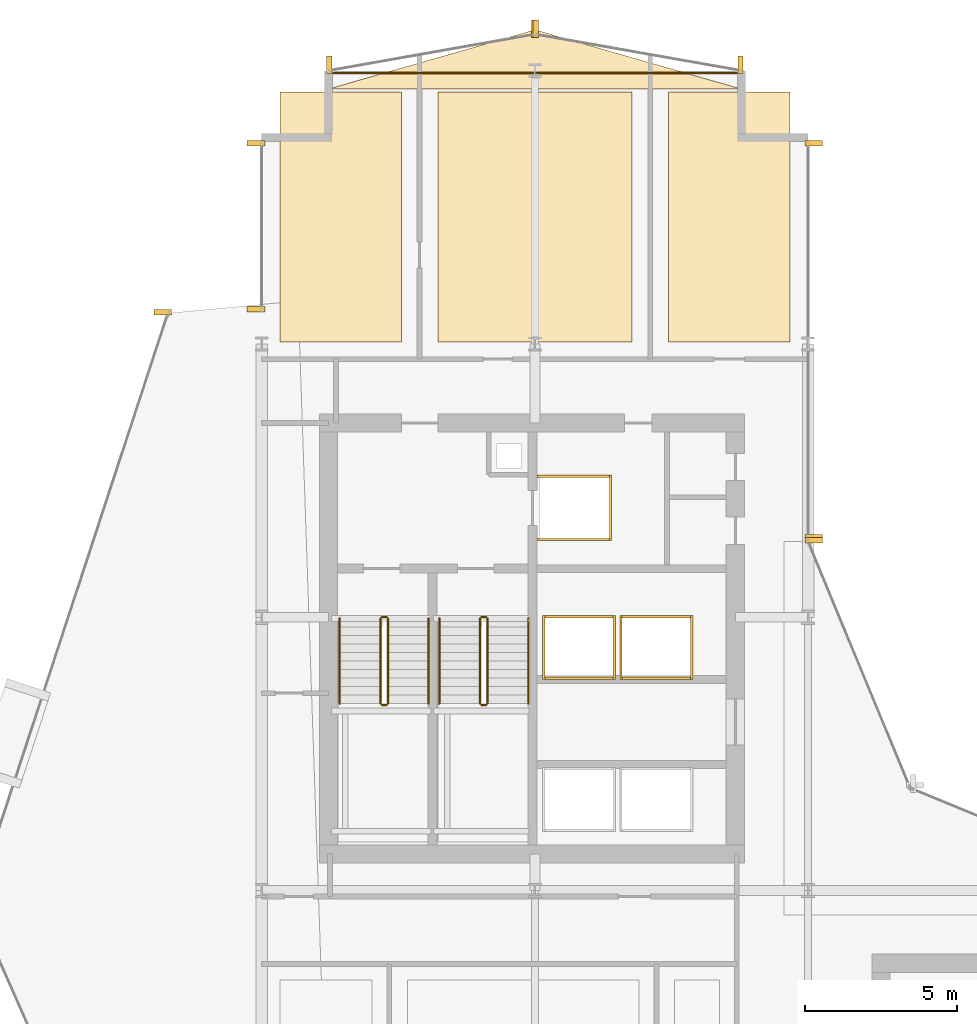
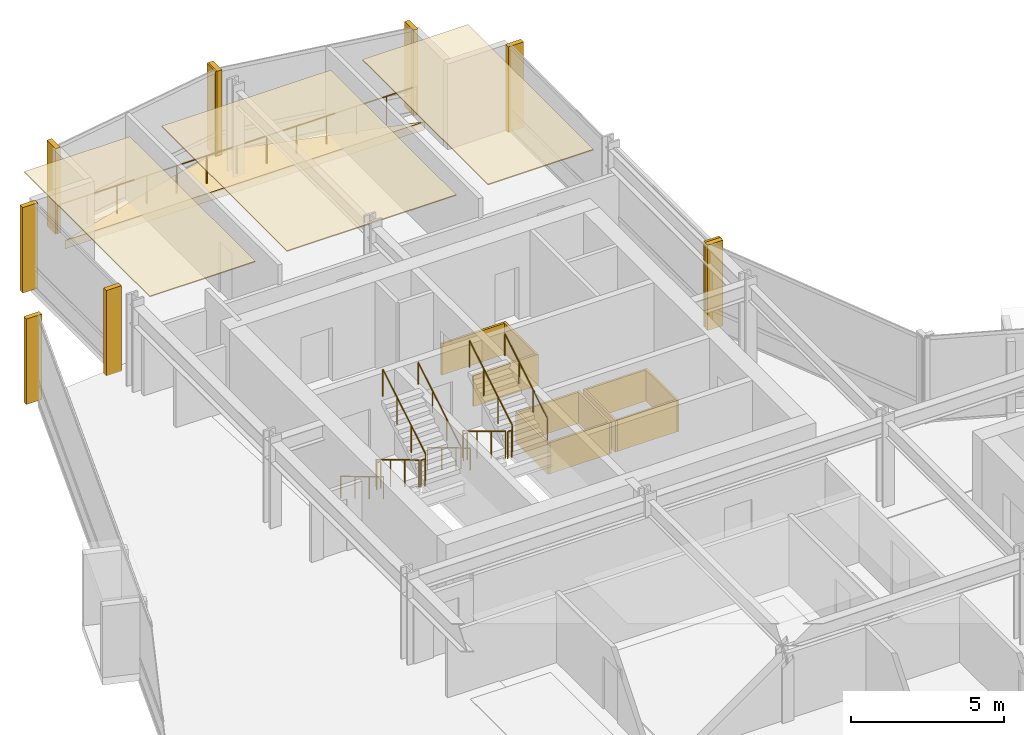
# One storey, part 33 of 34: 25 coverings, 13 railings.
"""IFC4 building model written with IfcOpenShell, lengths in metres."""

from ifc_helpers import new_model, si_unit, direction, frame, origin, origin_2d, place, context, subcontext, project, spatial, polyline, rectangle, circle, outline, extrude, material, layer, layer_set, type_object, element, save


model = new_model("IFC4")

# Units and contexts
model_context = context("Model", 3, precision=1e-05, world=origin(), true_north=direction((0.0, 1.0)))
body_context = subcontext(model_context, "Body", "Model", "MODEL_VIEW")
ifc_project = project(units=[si_unit("LENGTHUNIT", "METRE"), si_unit("AREAUNIT", "SQUARE_METRE"), si_unit("VOLUMEUNIT", "CUBIC_METRE"), si_unit("PLANEANGLEUNIT", "RADIAN"), si_unit("MASSUNIT", "GRAM", prefix="KILO")], contexts=[model_context])

# Site, building, storey
site_placement = place(None, origin())
site = spatial("IfcSite", under=ifc_project, at=site_placement, CompositionType="ELEMENT")
building_placement = place(site_placement, origin())
building = spatial("IfcBuilding", under=site, at=building_placement, Name="Solvaryn Broadcast Tower", CompositionType="ELEMENT")
storey_placement = place(building_placement, frame((0.0, 0.0, 76.699951171875)))
storey = spatial("IfcBuildingStorey", under=building, at=storey_placement, Name="L18", CompositionType="ELEMENT", Elevation=76.699951171875)

# Coverings
ifc_material_1 = material(Name="Micro-Perforated Acoustic Gypsum Ceiling", Category="concrete")
ifc_layer_1 = layer(ifc_material_1, 0.0400390625)
ifc_layer_set_1 = layer_set([ifc_layer_1], Name="CV-CEIL-ACOUSTIC")
covering_type_1 = type_object("IfcCoveringType", Name="CV-CEIL-ACOUSTIC", PredefinedType="CEILING", material=ifc_layer_set_1)
covering_1_placement = place(storey_placement, frame((0.0, 0.0, 3.380126953125)))
element("IfcCovering", 1, at=covering_1_placement, inside=storey, type_object=covering_type_1, Name="L18 Room Acoustic Ceiling 7", PredefinedType="CEILING", context=body_context, shape_type="SweptSolid", body=[
    extrude(outline(polyline([(9.60009765625, 45.070068359375), (13.60009765625, 45.070068359375), (13.60009765625, 53.300048828125), (9.60009765625, 53.300048828125), (9.60009765625, 45.070068359375)])), origin(), (0.0, 0.0, 1.0), 0.0400390625),
])
covering_2_placement = place(storey_placement, frame((0.0, 0.0, 3.380126953125)))
element("IfcCovering", 2, at=covering_2_placement, inside=storey, type_object=covering_type_1, Name="L18 Room Acoustic Ceiling 8", PredefinedType="CEILING", context=body_context, shape_type="SweptSolid", body=[
    extrude(outline(polyline([(14.800048828125, 45.070068359375), (21.199951171875, 45.070068359375), (21.199951171875, 53.300048828125), (14.800048828125, 53.300048828125), (14.800048828125, 45.070068359375)])), origin(), (0.0, 0.0, 1.0), 0.0400390625),
])
covering_3_placement = place(storey_placement, frame((0.0, 0.0, 3.380126953125)))
element("IfcCovering", 3, at=covering_3_placement, inside=storey, type_object=covering_type_1, Name="L18 Room Acoustic Ceiling 9", PredefinedType="CEILING", context=body_context, shape_type="SweptSolid", body=[
    extrude(outline(polyline([(22.39990234375, 45.070068359375), (26.39990234375, 45.070068359375), (26.39990234375, 53.300048828125), (22.39990234375, 53.300048828125), (22.39990234375, 45.070068359375)])), origin(), (0.0, 0.0, 1.0), 0.0400390625),
])
ifc_material_2 = material(Name="Fire-Rated Gypsum Shaftwall Liner", Category="concrete")
ifc_layer_2 = layer(ifc_material_2, 0.080078125)
ifc_layer_set_2 = layer_set([ifc_layer_2], Name="CV-SHAFT-LINER")
covering_type_2 = type_object("IfcCoveringType", Name="CV-SHAFT-LINER", PredefinedType="CLADDING", material=ifc_layer_set_2)
for number, where, z_axis, x_axis, name in (
    (4, (19.300048828125, 40.639892578125, 0.0), (0.0, 0.0, 1.0), (1.0, 0.0, 0.0), "L18 FL1 Hoistway Shaft Liner North"),
    (5, (19.300048828125, 38.56005859375, 0.0), (0.0, 0.0, 1.0), (1.0, 0.0, 0.0), "L18 FL1 Hoistway Shaft Liner South"),
):
    element("IfcCovering", number, at=place(storey_placement, frame(where, z_axis=z_axis, x_axis=x_axis)), inside=storey, type_object=covering_type_2, Name=name, PredefinedType="CLADDING", context=body_context, shape_type="SweptSolid", body=[
        extrude(rectangle(XDim=2.4599609375, YDim=0.080078125, at=origin_2d()), origin(), (0.0, 0.0, 1.0), 1.25),
    ])
covering_4_placement = place(storey_placement, frame((20.489990234375, 39.60009765625, 0.0), z_axis=(0.0, 0.0, 1.0), x_axis=(1.0, 0.0, 0.0)))
element("IfcCovering", 6, at=covering_4_placement, inside=storey, type_object=covering_type_2, Name="L18 FL1 Hoistway Shaft Liner East", PredefinedType="CLADDING", context=body_context, shape_type="SweptSolid", body=[
    extrude(rectangle(XDim=0.080078125, YDim=2.159912109375, at=origin_2d()), origin(), (0.0, 0.0, 1.0), 1.25),
])
for number, where, z_axis, x_axis, name in (
    (7, (19.449951171875, 36.014892578125, 0.0), (0.0, 0.0, 1.0), (1.0, 0.0, 0.0), "L18 PH3 Hoistway Shaft Liner North"),
    (8, (19.449951171875, 33.985107421875, 0.0), (0.0, 0.0, 1.0), (1.0, 0.0, 0.0), "L18 PH3 Hoistway Shaft Liner South"),
):
    element("IfcCovering", number, at=place(storey_placement, frame(where, z_axis=z_axis, x_axis=x_axis)), inside=storey, type_object=covering_type_2, Name=name, PredefinedType="CLADDING", context=body_context, shape_type="SweptSolid", body=[
        extrude(rectangle(XDim=2.409912109375, YDim=0.080078125, at=origin_2d()), origin(), (0.0, 0.0, 1.0), 1.25),
    ])
for number, where, z_axis, x_axis, name in (
    (9, (20.614990234375, 35.0, 0.0), (0.0, 0.0, 1.0), (1.0, 0.0, 0.0), "L18 PH3 Hoistway Shaft Liner East"),
    (10, (18.284912109375, 35.0, 0.0), (0.0, 0.0, 1.0), (1.0, 0.0, 0.0), "L18 PH3 Hoistway Shaft Liner West"),
):
    element("IfcCovering", number, at=place(storey_placement, frame(where, z_axis=z_axis, x_axis=x_axis)), inside=storey, type_object=covering_type_2, Name=name, PredefinedType="CLADDING", context=body_context, shape_type="SweptSolid", body=[
        extrude(rectangle(XDim=0.080078125, YDim=2.110107421875, at=origin_2d()), origin(), (0.0, 0.0, 1.0), 1.25),
    ])
for number, where, z_axis, x_axis, name in (
    (11, (22.0, 36.014892578125, 0.0), (0.0, 0.0, 1.0), (1.0, 0.0, 0.0), "L18 PH4 Hoistway Shaft Liner North"),
    (12, (22.0, 33.985107421875, 0.0), (0.0, 0.0, 1.0), (1.0, 0.0, 0.0), "L18 PH4 Hoistway Shaft Liner South"),
):
    element("IfcCovering", number, at=place(storey_placement, frame(where, z_axis=z_axis, x_axis=x_axis)), inside=storey, type_object=covering_type_2, Name=name, PredefinedType="CLADDING", context=body_context, shape_type="SweptSolid", body=[
        extrude(rectangle(XDim=2.409912109375, YDim=0.080078125, at=origin_2d()), origin(), (0.0, 0.0, 1.0), 1.25),
    ])
for number, where, z_axis, x_axis, name in (
    (13, (23.1650390625, 35.0, 0.0), (0.0, 0.0, 1.0), (1.0, 0.0, 0.0), "L18 PH4 Hoistway Shaft Liner East"),
    (14, (20.8349609375, 35.0, 0.0), (0.0, 0.0, 1.0), (1.0, 0.0, 0.0), "L18 PH4 Hoistway Shaft Liner West"),
):
    element("IfcCovering", number, at=place(storey_placement, frame(where, z_axis=z_axis, x_axis=x_axis)), inside=storey, type_object=covering_type_2, Name=name, PredefinedType="CLADDING", context=body_context, shape_type="SweptSolid", body=[
        extrude(rectangle(XDim=0.080078125, YDim=2.110107421875, at=origin_2d()), origin(), (0.0, 0.0, 1.0), 1.25),
    ])
ifc_material_3 = material(Name="Extruded Architectural Terracotta Fin", Category="masonry")
ifc_layer_3 = layer(ifc_material_3, 0.179931640625)
ifc_layer_set_3 = layer_set([ifc_layer_3], Name="CV-TC-FIN")
covering_type_3 = type_object("IfcCoveringType", Name="CV-TC-FIN", PredefinedType="USERDEFINED", material=ifc_layer_set_3)
for number, where, z_axis, x_axis, name in (
    (15, (5.735595703125, 46.043701171875, 0.0), (0.0, 0.0, 1.0), (1.0, 0.0, 0.0), "L18 Terracotta Vertical Fin FIN-L18-DR1-M00"),
    (16, (8.8125, 46.14599609375, 0.0), (0.0, 0.0, 1.0), (1.0, 0.0, 0.0), "L18 Terracotta Vertical Fin FIN-L18-W2-M00"),
    (17, (8.8125, 51.6201171875, 0.0), (0.0, 0.0, 1.0), (1.0, 0.0, 0.0), "L18 Terracotta Vertical Fin FIN-L18-W2-M01"),
    (18, (27.1875, 51.6201171875, 0.0), (0.0, 0.0, 1.0), (1.0, 0.0, 0.0), "L18 Terracotta Vertical Fin FIN-L18-IV-M00"),
    (19, (27.1875, 38.6298828125, 0.0), (0.0, 0.0, 1.0), (1.0, 0.0, 0.0), "L18 Terracotta Vertical Fin FIN-L18-IV-M01"),
    (20, (27.177978515625, 38.541259765625, 0.0), (0.0, 0.0, 1.0), (1.0, 0.0, 0.0), "L18 Terracotta Vertical Fin FIN-L18-CN2-M01"),
):
    element("IfcCovering", number, at=place(storey_placement, frame(where, z_axis=z_axis, x_axis=x_axis)), inside=storey, type_object=covering_type_3, Name=name, ObjectType="FIN", PredefinedType="USERDEFINED", context=body_context, shape_type="SweptSolid", body=[
        extrude(rectangle(XDim=0.580078125, YDim=0.179931640625, at=origin_2d()), origin(), (0.0, 0.0, 1.0), 3.419921875),
    ])
for number, where, z_axis, x_axis, name in (
    (21, (24.7705078125, 54.192626953125, 0.0), (0.0, 0.0, 1.0), (1.0, 0.0, 0.0), "L18 Terracotta Vertical Fin FIN-L18-NT1-M00"),
    (22, (18.029541015625, 55.38232421875, 0.0), (0.0, 0.0, 1.0), (1.0, 0.0, 0.0), "L18 Terracotta Vertical Fin FIN-L18-NT1-M01"),
    (23, (17.970458984375, 55.38232421875, 0.0), (0.0, 0.0, 1.0), (1.0, 0.0, 0.0), "L18 Terracotta Vertical Fin FIN-L18-NT2-M00"),
    (24, (11.2294921875, 54.192626953125, 0.0), (0.0, 0.0, 1.0), (1.0, 0.0, 0.0), "L18 Terracotta Vertical Fin FIN-L18-NT2-M01"),
):
    element("IfcCovering", number, at=place(storey_placement, frame(where, z_axis=z_axis, x_axis=x_axis)), inside=storey, type_object=covering_type_3, Name=name, ObjectType="FIN", PredefinedType="USERDEFINED", context=body_context, shape_type="SweptSolid", body=[
        extrude(rectangle(XDim=0.179931640625, YDim=0.580078125, at=origin_2d()), origin(), (0.0, 0.0, 1.0), 3.419921875),
    ])
ifc_material_4 = material(Name="Sculpted Architectural Terracotta Wave Fascia", Category="masonry")
ifc_layer_4 = layer(ifc_material_4, 0.340087890625)
ifc_layer_set_4 = layer_set([ifc_layer_4], Name="CV-WAVE-TRAY")
covering_type_4 = type_object("IfcCoveringType", Name="CV-WAVE-TRAY", PredefinedType="CLADDING", material=ifc_layer_set_4)
covering_5_placement = place(storey_placement, frame((0.0, 0.0, -0.300048828125)))
element("IfcCovering", 25, at=covering_5_placement, inside=storey, type_object=covering_type_4, Name="L18 North Curved Wing Deck", PredefinedType="CLADDING", context=body_context, shape_type="SweptSolid", body=[
    extrude(outline(polyline([(11.199951171875, 53.39990234375), (24.800048828125, 53.39990234375), (18.0, 55.35009765625), (11.199951171875, 53.39990234375)])), origin(), (0.0, 0.0, 1.0), 0.330078125),
])

# Railings
ifc_material_5 = material(Name="Painted Steel Stair Well Guard", Category="steel")
railing_type_1 = type_object("IfcRailingType", Name="RL-STAIR-GUARD", PredefinedType="BALUSTRADE", material=ifc_material_5)
railing_1_placement = place(storey_placement, frame((12.909912109375, 35.9599609375, 0.168212890625)))
element("IfcRailing", 26, at=railing_1_placement, inside=storey, type_object=railing_type_1, Name="L18 ST1 stair guard 1", PredefinedType="BALUSTRADE", context=body_context, shape_type="SweptSolid", body=[
    extrude(circle(Radius=0.02392578125, at=origin_2d()), frame((0.0, 0.0, 1.076171875), z_axis=(0.0, -0.857242210791, 0.514913383045), x_axis=(1.0, 0.0, 0.0)), (0.0, 0.0, 1.0), 3.266357421875),
    extrude(circle(Radius=0.02099609375, at=origin_2d()), origin(), (0.0, 0.0, 1.0), 1.052001953125),
    extrude(circle(Radius=0.02099609375, at=origin_2d()), frame((0.0, -0.933349609375, 0.560546875)), (0.0, 0.0, 1.0), 1.052001953125),
    extrude(circle(Radius=0.02099609375, at=origin_2d()), frame((0.0, -1.86669921875, 1.121337890625)), (0.0, 0.0, 1.0), 1.052001953125),
    extrude(circle(Radius=0.02099609375, at=origin_2d()), frame((0.0, -2.800048828125, 1.681884765625)), (0.0, 0.0, 1.0), 1.052001953125),
])
railing_2_placement = place(storey_placement, frame((12.9599609375, 33.110107421875, 1.85009765625)))
element("IfcRailing", 27, at=railing_2_placement, inside=storey, type_object=railing_type_1, Name="L18 ST1 stair guard 2", PredefinedType="BALUSTRADE", context=body_context, shape_type="SweptSolid", body=[
    extrude(circle(Radius=0.02392578125, at=origin_2d()), frame((0.0, 0.0, 1.076171875), z_axis=(1.0, 0.0, 0.0), x_axis=(0.0, 1.0, 0.0)), (0.0, 0.0, 1.0), 0.150146484375),
    extrude(circle(Radius=0.02099609375, at=origin_2d()), origin(), (0.0, 0.0, 1.0), 1.052001953125),
    extrude(circle(Radius=0.02099609375, at=origin_2d()), frame((0.150146484375, 0.0, 0.0)), (0.0, 0.0, 1.0), 1.052001953125),
])
railing_3_placement = place(storey_placement, frame((13.159912109375, 33.159912109375, 2.018310546875)))
element("IfcRailing", 28, at=railing_3_placement, inside=storey, type_object=railing_type_1, Name="L18 ST1 stair guard 3", PredefinedType="BALUSTRADE", context=body_context, shape_type="SweptSolid", body=[
    extrude(circle(Radius=0.02392578125, at=origin_2d()), frame((0.0, 0.0, 1.076171875), z_axis=(0.0, 0.857275202839, 0.514858452973), x_axis=(-1.0, 0.0, 0.0)), (0.0, 0.0, 1.0), 3.26611328125),
    extrude(circle(Radius=0.02099609375, at=origin_2d()), origin(), (0.0, 0.0, 1.0), 1.052001953125),
    extrude(circle(Radius=0.02099609375, at=origin_2d()), frame((0.0, 0.933349609375, 0.560546875)), (0.0, 0.0, 1.0), 1.052001953125),
    extrude(circle(Radius=0.02099609375, at=origin_2d()), frame((0.0, 1.86669921875, 1.12109375)), (0.0, 0.0, 1.0), 1.052001953125),
    extrude(circle(Radius=0.02099609375, at=origin_2d()), frame((0.0, 2.800048828125, 1.681640625)), (0.0, 0.0, 1.0), 1.052001953125),
])
railing_4_placement = place(storey_placement, frame((12.9599609375, 36.010009765625, 0.0)))
element("IfcRailing", 29, at=railing_4_placement, inside=storey, type_object=railing_type_1, Name="L18 ST1 stair guard 4", PredefinedType="BALUSTRADE", context=body_context, shape_type="SweptSolid", body=[
    extrude(circle(Radius=0.02392578125, at=origin_2d()), frame((0.0, 0.0, 1.076171875), z_axis=(1.0, 0.0, 0.0), x_axis=(0.0, 1.0, 0.0)), (0.0, 0.0, 1.0), 0.150146484375),
    extrude(circle(Radius=0.02099609375, at=origin_2d()), origin(), (0.0, 0.0, 1.0), 1.052001953125),
    extrude(circle(Radius=0.02099609375, at=origin_2d()), frame((0.150146484375, 0.0, 0.0)), (0.0, 0.0, 1.0), 1.052001953125),
])
railing_5_placement = place(storey_placement, frame((16.18994140625, 35.9599609375, 0.168212890625)))
element("IfcRailing", 30, at=railing_5_placement, inside=storey, type_object=railing_type_1, Name="L18 ST2 stair guard 1", PredefinedType="BALUSTRADE", context=body_context, shape_type="SweptSolid", body=[
    extrude(circle(Radius=0.02392578125, at=origin_2d()), frame((0.0, 0.0, 1.076171875), z_axis=(0.0, -0.857242210791, 0.514913383045), x_axis=(1.0, 0.0, 0.0)), (0.0, 0.0, 1.0), 3.266357421875),
    extrude(circle(Radius=0.02099609375, at=origin_2d()), origin(), (0.0, 0.0, 1.0), 1.052001953125),
    extrude(circle(Radius=0.02099609375, at=origin_2d()), frame((0.0, -0.933349609375, 0.560546875)), (0.0, 0.0, 1.0), 1.052001953125),
    extrude(circle(Radius=0.02099609375, at=origin_2d()), frame((0.0, -1.86669921875, 1.121337890625)), (0.0, 0.0, 1.0), 1.052001953125),
    extrude(circle(Radius=0.02099609375, at=origin_2d()), frame((0.0, -2.800048828125, 1.681884765625)), (0.0, 0.0, 1.0), 1.052001953125),
])
railing_6_placement = place(storey_placement, frame((16.239990234375, 33.110107421875, 1.85009765625)))
element("IfcRailing", 31, at=railing_6_placement, inside=storey, type_object=railing_type_1, Name="L18 ST2 stair guard 2", PredefinedType="BALUSTRADE", context=body_context, shape_type="SweptSolid", body=[
    extrude(circle(Radius=0.02392578125, at=origin_2d()), frame((0.0, 0.0, 1.076171875), z_axis=(1.0, 0.0, 0.0), x_axis=(0.0, 1.0, 0.0)), (0.0, 0.0, 1.0), 0.14990234375),
    extrude(circle(Radius=0.02099609375, at=origin_2d()), origin(), (0.0, 0.0, 1.0), 1.052001953125),
    extrude(circle(Radius=0.02099609375, at=origin_2d()), frame((0.14990234375, 0.0, 0.0)), (0.0, 0.0, 1.0), 1.052001953125),
])
railing_7_placement = place(storey_placement, frame((16.43994140625, 33.159912109375, 2.018310546875)))
element("IfcRailing", 32, at=railing_7_placement, inside=storey, type_object=railing_type_1, Name="L18 ST2 stair guard 3", PredefinedType="BALUSTRADE", context=body_context, shape_type="SweptSolid", body=[
    extrude(circle(Radius=0.02392578125, at=origin_2d()), frame((0.0, 0.0, 1.076171875), z_axis=(0.0, 0.857275202839, 0.514858452973), x_axis=(-1.0, 0.0, 0.0)), (0.0, 0.0, 1.0), 3.26611328125),
    extrude(circle(Radius=0.02099609375, at=origin_2d()), origin(), (0.0, 0.0, 1.0), 1.052001953125),
    extrude(circle(Radius=0.02099609375, at=origin_2d()), frame((0.0, 0.933349609375, 0.560546875)), (0.0, 0.0, 1.0), 1.052001953125),
    extrude(circle(Radius=0.02099609375, at=origin_2d()), frame((0.0, 1.86669921875, 1.12109375)), (0.0, 0.0, 1.0), 1.052001953125),
    extrude(circle(Radius=0.02099609375, at=origin_2d()), frame((0.0, 2.800048828125, 1.681640625)), (0.0, 0.0, 1.0), 1.052001953125),
])
railing_8_placement = place(storey_placement, frame((16.239990234375, 36.010009765625, 0.0)))
element("IfcRailing", 33, at=railing_8_placement, inside=storey, type_object=railing_type_1, Name="L18 ST2 stair guard 4", PredefinedType="BALUSTRADE", context=body_context, shape_type="SweptSolid", body=[
    extrude(circle(Radius=0.02392578125, at=origin_2d()), frame((0.0, 0.0, 1.076171875), z_axis=(1.0, 0.0, 0.0), x_axis=(0.0, 1.0, 0.0)), (0.0, 0.0, 1.0), 0.14990234375),
    extrude(circle(Radius=0.02099609375, at=origin_2d()), origin(), (0.0, 0.0, 1.0), 1.052001953125),
    extrude(circle(Radius=0.02099609375, at=origin_2d()), frame((0.14990234375, 0.0, 0.0)), (0.0, 0.0, 1.0), 1.052001953125),
])
ifc_material_6 = material(Name="Brushed Stainless Steel Tubular Handrail", Category="steel")
railing_type_2 = type_object("IfcRailingType", Name="RL-STAIR-HANDRAIL", PredefinedType="HANDRAIL", material=ifc_material_6)
railing_9_placement = place(storey_placement, frame((11.570068359375, 35.9599609375, 0.168212890625)))
element("IfcRailing", 34, at=railing_9_placement, inside=storey, type_object=railing_type_2, Name="L18 ST1 stair handrail 1", PredefinedType="HANDRAIL", context=body_context, shape_type="SweptSolid", body=[
    extrude(circle(Radius=0.02392578125, at=origin_2d()), frame((0.0, 0.0, 0.8759765625), z_axis=(0.0, -0.857242210791, 0.514913383045), x_axis=(1.0, 0.0, 0.0)), (0.0, 0.0, 1.0), 3.266357421875),
    extrude(circle(Radius=0.02099609375, at=origin_2d()), origin(), (0.0, 0.0, 1.0), 0.851806640625),
    extrude(circle(Radius=0.02099609375, at=origin_2d()), frame((0.0, -0.933349609375, 0.560546875)), (0.0, 0.0, 1.0), 0.851806640625),
    extrude(circle(Radius=0.02099609375, at=origin_2d()), frame((0.0, -1.86669921875, 1.121337890625)), (0.0, 0.0, 1.0), 0.851806640625),
    extrude(circle(Radius=0.02099609375, at=origin_2d()), frame((0.0, -2.800048828125, 1.681884765625)), (0.0, 0.0, 1.0), 0.851806640625),
])
railing_10_placement = place(storey_placement, frame((14.5, 33.159912109375, 2.018310546875)))
element("IfcRailing", 35, at=railing_10_placement, inside=storey, type_object=railing_type_2, Name="L18 ST1 stair handrail 2", PredefinedType="HANDRAIL", context=body_context, shape_type="SweptSolid", body=[
    extrude(circle(Radius=0.02392578125, at=origin_2d()), frame((0.0, 0.0, 0.8759765625), z_axis=(0.0, 0.857275202839, 0.514858452973), x_axis=(-1.0, 0.0, 0.0)), (0.0, 0.0, 1.0), 3.26611328125),
    extrude(circle(Radius=0.02099609375, at=origin_2d()), origin(), (0.0, 0.0, 1.0), 0.851806640625),
    extrude(circle(Radius=0.02099609375, at=origin_2d()), frame((0.0, 0.933349609375, 0.560546875)), (0.0, 0.0, 1.0), 0.851806640625),
    extrude(circle(Radius=0.02099609375, at=origin_2d()), frame((0.0, 1.86669921875, 1.12109375)), (0.0, 0.0, 1.0), 0.851806640625),
    extrude(circle(Radius=0.02099609375, at=origin_2d()), frame((0.0, 2.800048828125, 1.681640625)), (0.0, 0.0, 1.0), 0.851806640625),
])
railing_11_placement = place(storey_placement, frame((14.85009765625, 35.9599609375, 0.168212890625)))
element("IfcRailing", 36, at=railing_11_placement, inside=storey, type_object=railing_type_2, Name="L18 ST2 stair handrail 1", PredefinedType="HANDRAIL", context=body_context, shape_type="SweptSolid", body=[
    extrude(circle(Radius=0.02392578125, at=origin_2d()), frame((0.0, 0.0, 0.8759765625), z_axis=(0.0, -0.857242210791, 0.514913383045), x_axis=(1.0, 0.0, 0.0)), (0.0, 0.0, 1.0), 3.266357421875),
    extrude(circle(Radius=0.02099609375, at=origin_2d()), origin(), (0.0, 0.0, 1.0), 0.851806640625),
    extrude(circle(Radius=0.02099609375, at=origin_2d()), frame((0.0, -0.933349609375, 0.560546875)), (0.0, 0.0, 1.0), 0.851806640625),
    extrude(circle(Radius=0.02099609375, at=origin_2d()), frame((0.0, -1.86669921875, 1.121337890625)), (0.0, 0.0, 1.0), 0.851806640625),
    extrude(circle(Radius=0.02099609375, at=origin_2d()), frame((0.0, -2.800048828125, 1.681884765625)), (0.0, 0.0, 1.0), 0.851806640625),
])
railing_12_placement = place(storey_placement, frame((17.780029296875, 33.159912109375, 2.018310546875)))
element("IfcRailing", 37, at=railing_12_placement, inside=storey, type_object=railing_type_2, Name="L18 ST2 stair handrail 2", PredefinedType="HANDRAIL", context=body_context, shape_type="SweptSolid", body=[
    extrude(circle(Radius=0.02392578125, at=origin_2d()), frame((0.0, 0.0, 0.8759765625), z_axis=(0.0, 0.857275202839, 0.514858452973), x_axis=(-1.0, 0.0, 0.0)), (0.0, 0.0, 1.0), 3.26611328125),
    extrude(circle(Radius=0.02099609375, at=origin_2d()), origin(), (0.0, 0.0, 1.0), 0.851806640625),
    extrude(circle(Radius=0.02099609375, at=origin_2d()), frame((0.0, 0.933349609375, 0.560546875)), (0.0, 0.0, 1.0), 0.851806640625),
    extrude(circle(Radius=0.02099609375, at=origin_2d()), frame((0.0, 1.86669921875, 1.12109375)), (0.0, 0.0, 1.0), 0.851806640625),
    extrude(circle(Radius=0.02099609375, at=origin_2d()), frame((0.0, 2.800048828125, 1.681640625)), (0.0, 0.0, 1.0), 0.851806640625),
])
ifc_material_7 = material(Name="Stainless Steel and Laminated Glass Guard", Category="steel")
railing_type_3 = type_object("IfcRailingType", Name="RL-TER-1150", PredefinedType="BALUSTRADE", material=ifc_material_7)
railing_13_placement = place(storey_placement, frame((11.199951171875, 53.919921875, 0.0)))
element("IfcRailing", 38, at=railing_13_placement, inside=storey, type_object=railing_type_3, Name="L18 North Wing Spandrel Edge Guard", PredefinedType="BALUSTRADE", context=body_context, shape_type="SweptSolid", body=[
    extrude(circle(Radius=0.02392578125, at=origin_2d()), frame((0.0, 0.0, 1.1259765625), z_axis=(1.0, 0.0, 0.0), x_axis=(0.0, 1.0, 0.0)), (0.0, 0.0, 1.0), 13.60009765625),
    extrude(circle(Radius=0.02099609375, at=origin_2d()), origin(), (0.0, 0.0, 1.0), 1.101806640625),
    extrude(circle(Radius=0.02099609375, at=origin_2d()), frame((1.13330078125, 0.0, 0.0)), (0.0, 0.0, 1.0), 1.101806640625),
    extrude(circle(Radius=0.02099609375, at=origin_2d()), frame((2.2666015625, 0.0, 0.0)), (0.0, 0.0, 1.0), 1.101806640625),
    extrude(circle(Radius=0.02099609375, at=origin_2d()), frame((3.39990234375, 0.0, 0.0)), (0.0, 0.0, 1.0), 1.101806640625),
    extrude(circle(Radius=0.02099609375, at=origin_2d()), frame((4.533447265625, 0.0, 0.0)), (0.0, 0.0, 1.0), 1.101806640625),
    extrude(circle(Radius=0.02099609375, at=origin_2d()), frame((5.666748046875, 0.0, 0.0)), (0.0, 0.0, 1.0), 1.101806640625),
    extrude(circle(Radius=0.02099609375, at=origin_2d()), frame((6.800048828125, 0.0, 0.0)), (0.0, 0.0, 1.0), 1.101806640625),
    extrude(circle(Radius=0.02099609375, at=origin_2d()), frame((7.933349609375, 0.0, 0.0)), (0.0, 0.0, 1.0), 1.101806640625),
    extrude(circle(Radius=0.02099609375, at=origin_2d()), frame((9.066650390625, 0.0, 0.0)), (0.0, 0.0, 1.0), 1.101806640625),
    extrude(circle(Radius=0.02099609375, at=origin_2d()), frame((10.2001953125, 0.0, 0.0)), (0.0, 0.0, 1.0), 1.101806640625),
    extrude(circle(Radius=0.02099609375, at=origin_2d()), frame((11.33349609375, 0.0, 0.0)), (0.0, 0.0, 1.0), 1.101806640625),
    extrude(circle(Radius=0.02099609375, at=origin_2d()), frame((12.466796875, 0.0, 0.0)), (0.0, 0.0, 1.0), 1.101806640625),
    extrude(circle(Radius=0.02099609375, at=origin_2d()), frame((13.60009765625, 0.0, 0.0)), (0.0, 0.0, 1.0), 1.101806640625),
])

save(model, "model.ifc")
